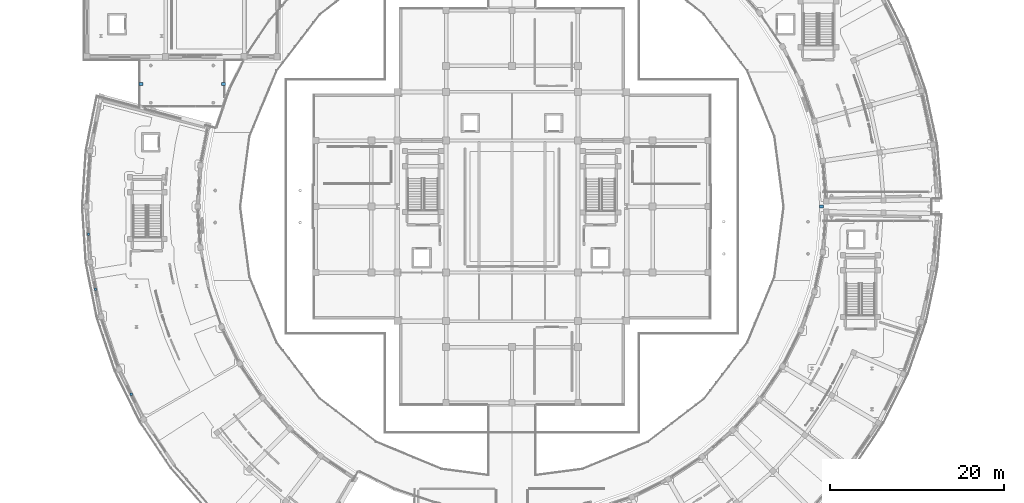
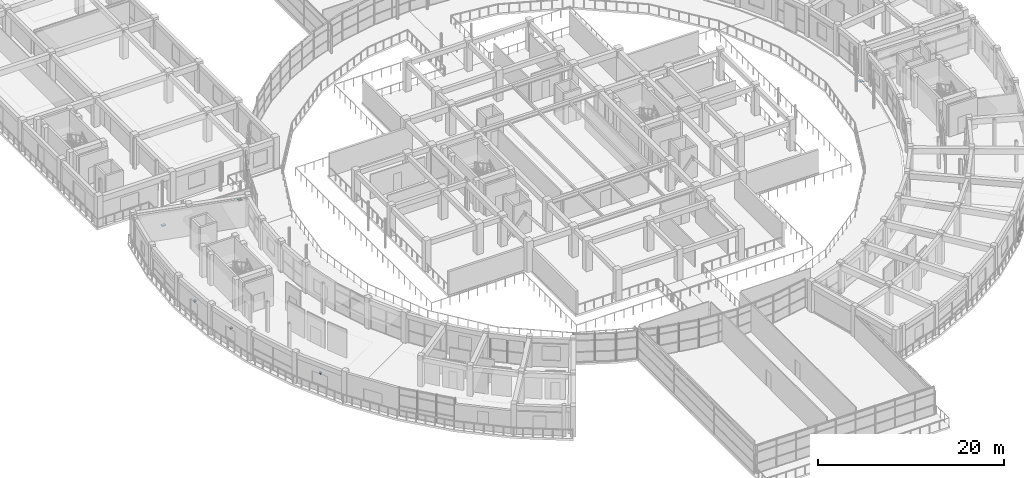
# One storey, part 64 of 83: 6 discrete accessories.
"""IFC4 building model written with IfcOpenShell, lengths in metres."""

from ifc_helpers import new_model, si_unit, direction, frame, origin, origin_2d, place, context, subcontext, project, spatial, rectangle, extrude, material, type_object, element, save


model = new_model("IFC4")

# Units and contexts
model_context = context("Model", 3, precision=1e-05, world=origin(), true_north=direction((0.0, 1.0)))
body_context = subcontext(model_context, "Body", "Model", "MODEL_VIEW")
ifc_project = project(units=[si_unit("LENGTHUNIT", "METRE"), si_unit("AREAUNIT", "SQUARE_METRE"), si_unit("VOLUMEUNIT", "CUBIC_METRE"), si_unit("PLANEANGLEUNIT", "RADIAN"), si_unit("MASSUNIT", "GRAM", prefix="KILO")], contexts=[model_context])

# Site, building, storey
site_placement = place(None, origin())
site = spatial("IfcSite", under=ifc_project, at=site_placement, CompositionType="ELEMENT")
building_placement = place(site_placement, origin())
building = spatial("IfcBuilding", under=site, at=building_placement, Name="Saryqyr Civic Hall", CompositionType="ELEMENT")
storey_placement = place(building_placement, frame((0.0, 0.0, 9.14990234375)))
storey = spatial("IfcBuildingStorey", under=building, at=storey_placement, Name="L02", CompositionType="ELEMENT", Elevation=9.14990234375)

# Discrete accessories
ifc_material_1 = material(Name="Painted galvanized steel", Category="steel")
discrete_accessory_type_1 = type_object("IfcDiscreteAccessoryType", Name="ENV-BRK-FIN", PredefinedType="BRACKET", material=ifc_material_1)
for number, where, z_axis, x_axis, name in (
    (1, (8.209716796875, 80.802001953125, 2.31005859375), (0.0, 0.0, 1.0), (1.0, 0.0, 0.0), "Solar fin steel bracket V4-L02-02"),
    (2, (9.04443359375, 74.461181640625, 2.31005859375), (0.0, 0.0, 1.0), (1.0, 0.0, 0.0), "Solar fin steel bracket V4-L02-03"),
    (3, (13.147216796875, 62.374267578125, 2.31005859375), (0.0, 0.0, 1.0), (1.0, 0.0, 0.0), "Solar fin steel bracket V4-L02-05"),
):
    element("IfcDiscreteAccessory", number, at=place(storey_placement, frame(where, z_axis=z_axis, x_axis=x_axis)), inside=storey, type_object=discrete_accessory_type_1, Name=name, PredefinedType="BRACKET", context=body_context, shape_type="SweptSolid", body=[
        extrude(rectangle(XDim=0.239990234375, YDim=0.300048828125, at=origin_2d()), origin(), (0.0, 0.0, 1.0), 0.159912109375),
    ])
ifc_material_2 = material(Name="Steel S355", Category="steel")
discrete_accessory_type_2 = type_object("IfcDiscreteAccessoryType", Name="STR-ACC-PTFE-BRG", PredefinedType="BRACKET", material=ifc_material_2)
for number, where, z_axis, x_axis, name in (
    (4, (92.64990234375, 84.0, -0.35986328125), (0.0, 0.0, 1.0), (1.0, 0.0, 0.0), "Unguided PTFE sliding bridge bearing BR-E L02 1"),
    (5, (14.25, 98.10009765625, -0.35986328125), (0.0, 0.0, 1.0), (1.0, 0.0, 0.0), "Unguided PTFE sliding bridge bearing BR-NW L02 1"),
    (6, (23.75, 98.10009765625, -0.35986328125), (0.0, 0.0, 1.0), (1.0, 0.0, 0.0), "Unguided PTFE sliding bridge bearing BR-NW L02 2"),
):
    element("IfcDiscreteAccessory", number, at=place(storey_placement, frame(where, z_axis=z_axis, x_axis=x_axis)), inside=storey, type_object=discrete_accessory_type_2, Name=name, PredefinedType="BRACKET", context=body_context, shape_type="SweptSolid", body=[
        extrude(rectangle(XDim=0.449951171875, YDim=0.35009765625, at=origin_2d()), origin(), (0.0, 0.0, 1.0), 0.139892578125),
    ])

save(model, "model.ifc")
